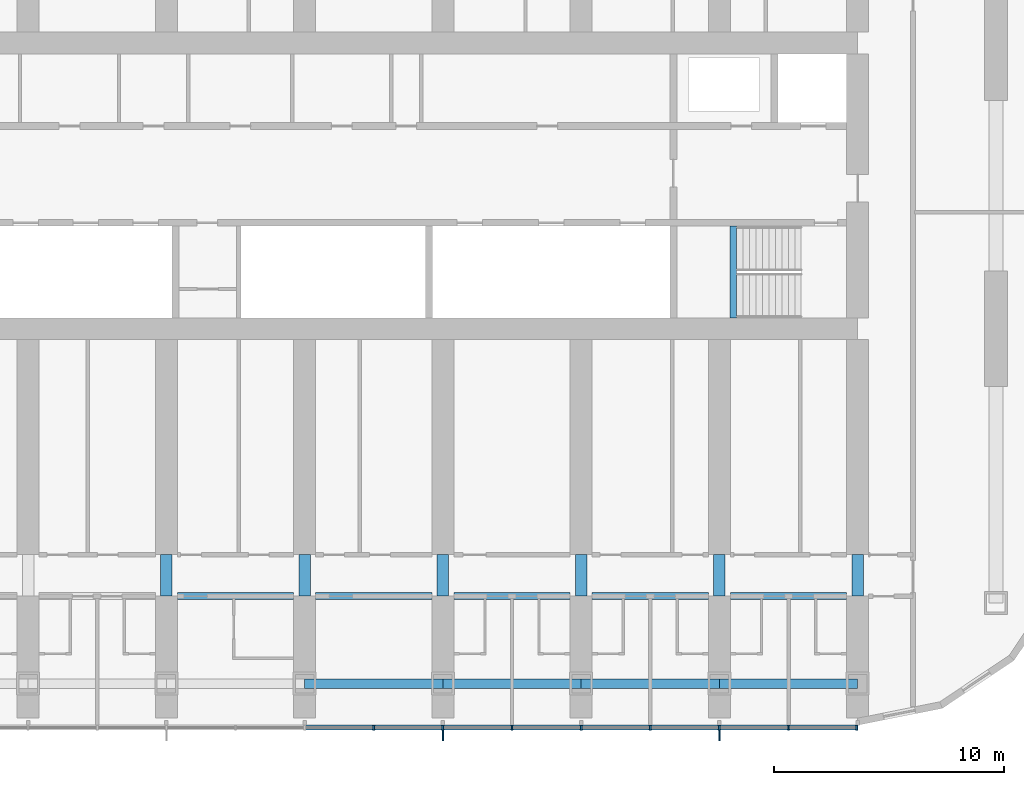
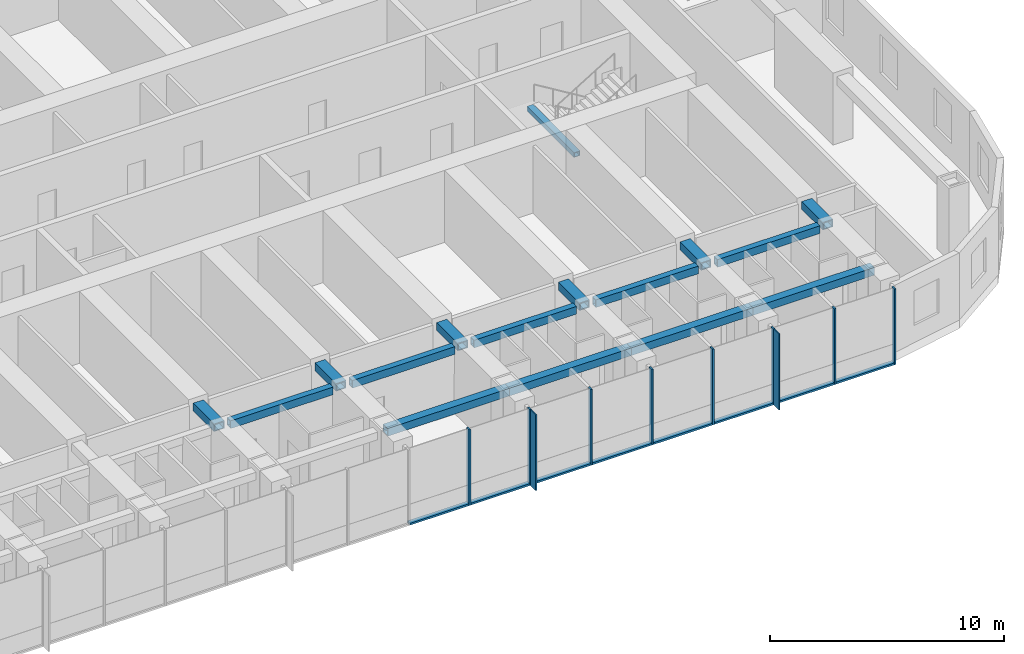
# One storey, part 5 of 25: 18 members, 16 beams, 1 element without a shape of its own.
"""IFC4 building model written with IfcOpenShell, lengths in metres."""

from ifc_helpers import new_model, si_unit, direction, frame, origin, origin_2d, place, context, subcontext, project, spatial, rectangle, hollow_rectangle, extrude, material, material_profile, profile_set, type_object, element, aggregate, save


model = new_model("IFC4")

# Units and contexts
model_context = context("Model", 3, precision=1e-05, world=origin(), true_north=direction((0.0, 1.0)))
body_context = subcontext(model_context, "Body", "Model", "MODEL_VIEW")
ifc_project = project(units=[si_unit("LENGTHUNIT", "METRE"), si_unit("AREAUNIT", "SQUARE_METRE"), si_unit("VOLUMEUNIT", "CUBIC_METRE"), si_unit("PLANEANGLEUNIT", "RADIAN"), si_unit("MASSUNIT", "GRAM", prefix="KILO")], contexts=[model_context])

# Site, building, storey
site_placement = place(None, origin())
site = spatial("IfcSite", under=ifc_project, at=site_placement, CompositionType="ELEMENT")
building_placement = place(site_placement, origin())
building = spatial("IfcBuilding", under=site, at=building_placement, Name="Orbita Commons", CompositionType="ELEMENT")
storey_placement = place(building_placement, frame((0.0, 0.0, 84.39990234375)))
storey = spatial("IfcBuildingStorey", under=building, at=storey_placement, Name="L20", CompositionType="ELEMENT", Elevation=84.39990234375)

# Curtain wall, members
ifc_material_1 = material(Name="Anodised aluminium frame, pale silver", Category="aluminium")
curtain_wall_type = type_object("IfcCurtainWallType", Name="Unitised curtain wall CW-T, vision and spandrel", PredefinedType="NOTDEFINED", material=ifc_material_1)
curtain_wall_placement = place(storey_placement, origin())
curtain_wall = element("IfcCurtainWall", 1, at=curtain_wall_placement, inside=storey, type_object=curtain_wall_type, Name="Curtain wall south L20", PredefinedType="NOTDEFINED")
ifc_material_2 = material(Name="Anodised aluminium, pale silver", Category="aluminium")
ifc_material_profile_1 = material_profile(ifc_material_2, rectangle(XDim=0.080078125, YDim=0.219970703125, at=origin_2d()), Name="AL 80x220")
ifc_profile_set_1 = profile_set([ifc_material_profile_1], Name="Anodised aluminium, pale silver")
member_type_1 = type_object("IfcMemberType", Name="Curtain wall mullion 80x220", PredefinedType="MULLION", material=ifc_profile_set_1)
member_1_placement = place(storey_placement, frame((45.0, 8.489990234375, -0.449951171875), z_axis=(0.0, 0.0, 1.0), x_axis=(1.0, 0.0, 0.0)))
member_1 = element("IfcMember", 2, at=member_1_placement, type_object=member_type_1, Name="Mullion 12 CW-L20-S", PredefinedType="MULLION", context=body_context, shape_type="SweptSolid", body=[
    extrude(rectangle(XDim=0.080078125, YDim=0.219970703125, at=origin_2d()), origin(), (0.0, 0.0, 1.0), 3.949951171875),
])
member_2_placement = place(storey_placement, frame((48.0, 8.489990234375, -0.449951171875), z_axis=(0.0, 0.0, 1.0), x_axis=(1.0, 0.0, 0.0)))
member_2 = element("IfcMember", 3, at=member_2_placement, type_object=member_type_1, Name="Mullion 13 CW-L20-S", PredefinedType="MULLION", context=body_context, shape_type="SweptSolid", body=[
    extrude(rectangle(XDim=0.080078125, YDim=0.219970703125, at=origin_2d()), origin(), (0.0, 0.0, 1.0), 3.949951171875),
])
member_3_placement = place(storey_placement, frame((51.0, 8.489990234375, -0.449951171875), z_axis=(0.0, 0.0, 1.0), x_axis=(1.0, 0.0, 0.0)))
member_3 = element("IfcMember", 4, at=member_3_placement, type_object=member_type_1, Name="Mullion 14 CW-L20-S", PredefinedType="MULLION", context=body_context, shape_type="SweptSolid", body=[
    extrude(rectangle(XDim=0.080078125, YDim=0.219970703125, at=origin_2d()), origin(), (0.0, 0.0, 1.0), 3.949951171875),
])
member_4_placement = place(storey_placement, frame((54.0, 8.489990234375, -0.449951171875), z_axis=(0.0, 0.0, 1.0), x_axis=(1.0, 0.0, 0.0)))
member_4 = element("IfcMember", 5, at=member_4_placement, type_object=member_type_1, Name="Mullion 15 CW-L20-S", PredefinedType="MULLION", context=body_context, shape_type="SweptSolid", body=[
    extrude(rectangle(XDim=0.080078125, YDim=0.219970703125, at=origin_2d()), origin(), (0.0, 0.0, 1.0), 3.949951171875),
])
member_5_placement = place(storey_placement, frame((57.0, 8.489990234375, -0.449951171875), z_axis=(0.0, 0.0, 1.0), x_axis=(1.0, 0.0, 0.0)))
member_5 = element("IfcMember", 6, at=member_5_placement, type_object=member_type_1, Name="Mullion 16 CW-L20-S", PredefinedType="MULLION", context=body_context, shape_type="SweptSolid", body=[
    extrude(rectangle(XDim=0.080078125, YDim=0.219970703125, at=origin_2d()), origin(), (0.0, 0.0, 1.0), 3.949951171875),
])
member_6_placement = place(storey_placement, frame((60.0, 8.489990234375, -0.449951171875), z_axis=(0.0, 0.0, 1.0), x_axis=(1.0, 0.0, 0.0)))
member_6 = element("IfcMember", 7, at=member_6_placement, type_object=member_type_1, Name="Mullion 17 CW-L20-S", PredefinedType="MULLION", context=body_context, shape_type="SweptSolid", body=[
    extrude(rectangle(XDim=0.080078125, YDim=0.219970703125, at=origin_2d()), origin(), (0.0, 0.0, 1.0), 3.949951171875),
])
member_7_placement = place(storey_placement, frame((63.0, 8.489990234375, -0.449951171875), z_axis=(0.0, 0.0, 1.0), x_axis=(1.0, 0.0, 0.0)))
member_7 = element("IfcMember", 8, at=member_7_placement, type_object=member_type_1, Name="Mullion 18 CW-L20-S", PredefinedType="MULLION", context=body_context, shape_type="SweptSolid", body=[
    extrude(rectangle(XDim=0.080078125, YDim=0.219970703125, at=origin_2d()), origin(), (0.0, 0.0, 1.0), 3.949951171875),
])
member_8_placement = place(storey_placement, frame((65.9599609375, 8.489990234375, -0.449951171875), z_axis=(0.0, 0.0, 1.0), x_axis=(1.0, 0.0, 0.0)))
member_8 = element("IfcMember", 9, at=member_8_placement, type_object=member_type_1, Name="Mullion 19 CW-L20-S", PredefinedType="MULLION", context=body_context, shape_type="SweptSolid", body=[
    extrude(rectangle(XDim=0.080078125, YDim=0.219970703125, at=origin_2d()), origin(), (0.0, 0.0, 1.0), 3.949951171875),
])
ifc_material_3 = material(Name="Anodised aluminium, pale silver", Category="aluminium")
ifc_material_profile_2 = material_profile(ifc_material_3, rectangle(XDim=0.219970703125, YDim=0.10009765625, at=origin_2d()), Name="AL 220x100")
ifc_profile_set_2 = profile_set([ifc_material_profile_2], Name="Anodised aluminium, pale silver")
member_type_2 = type_object("IfcMemberType", Name="Curtain wall stack transom 220x100", PredefinedType="USERDEFINED", material=ifc_profile_set_2)
member_9_placement = place(storey_placement, frame((42.0400390625, 8.489990234375, -0.39990234375), z_axis=(1.0, 0.0, 0.0), x_axis=(0.0, 1.0, 0.0)))
member_9 = element("IfcMember", 10, at=member_9_placement, type_object=member_type_2, Name="Transom 11.1 CW-L20-S", ObjectType="TRANSOM", PredefinedType="USERDEFINED", context=body_context, shape_type="SweptSolid", body=[
    extrude(rectangle(XDim=0.219970703125, YDim=0.10009765625, at=origin_2d()), origin(), (0.0, 0.0, 1.0), 2.919921875),
])
member_10_placement = place(storey_placement, frame((45.0400390625, 8.489990234375, -0.39990234375), z_axis=(1.0, 0.0, 0.0), x_axis=(0.0, 1.0, 0.0)))
member_10 = element("IfcMember", 11, at=member_10_placement, type_object=member_type_2, Name="Transom 12.1 CW-L20-S", ObjectType="TRANSOM", PredefinedType="USERDEFINED", context=body_context, shape_type="SweptSolid", body=[
    extrude(rectangle(XDim=0.219970703125, YDim=0.10009765625, at=origin_2d()), origin(), (0.0, 0.0, 1.0), 2.919921875),
])
member_11_placement = place(storey_placement, frame((48.0400390625, 8.489990234375, -0.39990234375), z_axis=(1.0, 0.0, 0.0), x_axis=(0.0, 1.0, 0.0)))
member_11 = element("IfcMember", 12, at=member_11_placement, type_object=member_type_2, Name="Transom 13.1 CW-L20-S", ObjectType="TRANSOM", PredefinedType="USERDEFINED", context=body_context, shape_type="SweptSolid", body=[
    extrude(rectangle(XDim=0.219970703125, YDim=0.10009765625, at=origin_2d()), origin(), (0.0, 0.0, 1.0), 2.919921875),
])
member_12_placement = place(storey_placement, frame((51.0400390625, 8.489990234375, -0.39990234375), z_axis=(1.0, 0.0, 0.0), x_axis=(0.0, 1.0, 0.0)))
member_12 = element("IfcMember", 13, at=member_12_placement, type_object=member_type_2, Name="Transom 14.1 CW-L20-S", ObjectType="TRANSOM", PredefinedType="USERDEFINED", context=body_context, shape_type="SweptSolid", body=[
    extrude(rectangle(XDim=0.219970703125, YDim=0.10009765625, at=origin_2d()), origin(), (0.0, 0.0, 1.0), 2.919921875),
])
member_13_placement = place(storey_placement, frame((54.0400390625, 8.489990234375, -0.39990234375), z_axis=(1.0, 0.0, 0.0), x_axis=(0.0, 1.0, 0.0)))
member_13 = element("IfcMember", 14, at=member_13_placement, type_object=member_type_2, Name="Transom 15.1 CW-L20-S", ObjectType="TRANSOM", PredefinedType="USERDEFINED", context=body_context, shape_type="SweptSolid", body=[
    extrude(rectangle(XDim=0.219970703125, YDim=0.10009765625, at=origin_2d()), origin(), (0.0, 0.0, 1.0), 2.919921875),
])
member_14_placement = place(storey_placement, frame((57.0400390625, 8.489990234375, -0.39990234375), z_axis=(1.0, 0.0, 0.0), x_axis=(0.0, 1.0, 0.0)))
member_14 = element("IfcMember", 15, at=member_14_placement, type_object=member_type_2, Name="Transom 16.1 CW-L20-S", ObjectType="TRANSOM", PredefinedType="USERDEFINED", context=body_context, shape_type="SweptSolid", body=[
    extrude(rectangle(XDim=0.219970703125, YDim=0.10009765625, at=origin_2d()), origin(), (0.0, 0.0, 1.0), 2.919921875),
])
member_15_placement = place(storey_placement, frame((60.0400390625, 8.489990234375, -0.39990234375), z_axis=(1.0, 0.0, 0.0), x_axis=(0.0, 1.0, 0.0)))
member_15 = element("IfcMember", 16, at=member_15_placement, type_object=member_type_2, Name="Transom 17.1 CW-L20-S", ObjectType="TRANSOM", PredefinedType="USERDEFINED", context=body_context, shape_type="SweptSolid", body=[
    extrude(rectangle(XDim=0.219970703125, YDim=0.10009765625, at=origin_2d()), origin(), (0.0, 0.0, 1.0), 2.919921875),
])
member_16_placement = place(storey_placement, frame((63.0400390625, 8.489990234375, -0.39990234375), z_axis=(1.0, 0.0, 0.0), x_axis=(0.0, 1.0, 0.0)))
member_16 = element("IfcMember", 17, at=member_16_placement, type_object=member_type_2, Name="Transom 18.1 CW-L20-S", ObjectType="TRANSOM", PredefinedType="USERDEFINED", context=body_context, shape_type="SweptSolid", body=[
    extrude(rectangle(XDim=0.219970703125, YDim=0.10009765625, at=origin_2d()), origin(), (0.0, 0.0, 1.0), 2.8798828125),
])

# Beams
ifc_material_4 = material(Name="Steel ASTM A572 Gr 50 welded plate", Category="steel")
ifc_material_profile_3 = material_profile(ifc_material_4, hollow_rectangle(XDim=0.300048828125, YDim=0.25, WallThickness=0.02490234375, at=origin_2d()), Name="BOX 250x300x25")
ifc_profile_set_3 = profile_set([ifc_material_profile_3], Name="Steel ASTM A572 Gr 50 welded plate")
beam_type_1 = type_object("IfcBeamType", Name="Stair landing beam steel BOX 250x300x25", PredefinedType="BEAM", material=ifc_profile_set_3)
beam_placement = place(storey_placement, frame((60.60009765625, 26.260009765625, 1.550048828125), z_axis=(0.0, 1.0, 0.0), x_axis=(-1.0, 0.0, 0.0)))
element("IfcBeam", 18, at=beam_placement, inside=storey, type_object=beam_type_1, Name="Stair S2 landing beam L20 1", PredefinedType="BEAM", context=body_context, shape_type="SweptSolid", body=[
    extrude(hollow_rectangle(XDim=0.300048828125, YDim=0.25, WallThickness=0.02490234375, at=origin_2d()), origin(), (0.0, 0.0, 1.0), 4.0048828125),
])
ifc_material_5 = material(Name="Steel ASTM A572 Gr 50 welded plate", Category="steel")
ifc_material_profile_4 = material_profile(ifc_material_5, hollow_rectangle(XDim=0.300048828125, YDim=0.39990234375, WallThickness=0.0400390625, at=origin_2d()), Name="BOX 400x300x40")
ifc_profile_set_4 = profile_set([ifc_material_profile_4], Name="Steel ASTM A572 Gr 50 welded plate")
beam_type_2 = type_object("IfcBeamType", Name="Steel corridor link BOX 400x300x40", PredefinedType="BEAM", material=ifc_profile_set_4)
for number, where, z_axis, x_axis, name in (
    (19, (36.47509765625, 14.199951171875, 3.300048828125), (1.0, 0.0, 0.0), (0.0, 1.0, 0.0), "Corridor beam SA 7-8 L20"),
    (20, (42.47509765625, 14.199951171875, 3.300048828125), (1.0, 0.0, 0.0), (0.0, 1.0, 0.0), "Corridor beam SA 8-9 L20"),
    (21, (48.47509765625, 14.199951171875, 3.300048828125), (1.0, 0.0, 0.0), (0.0, 1.0, 0.0), "Corridor beam SA 9-10 L20"),
    (22, (54.47509765625, 14.199951171875, 3.300048828125), (1.0, 0.0, 0.0), (0.0, 1.0, 0.0), "Corridor beam SA 10-11 L20"),
    (23, (60.47509765625, 14.199951171875, 3.300048828125), (1.0, 0.0, 0.0), (0.0, 1.0, 0.0), "Corridor beam SA 11-12 L20"),
):
    element("IfcBeam", number, at=place(storey_placement, frame(where, z_axis=z_axis, x_axis=x_axis)), inside=storey, type_object=beam_type_2, Name=name, PredefinedType="BEAM", context=body_context, shape_type="SweptSolid", body=[
        extrude(hollow_rectangle(XDim=0.300048828125, YDim=0.39990234375, WallThickness=0.0400390625, at=origin_2d()), origin(), (0.0, 0.0, 1.0), 5.0498046875),
    ])
ifc_material_6 = material(Name="Steel ASTM A572 Gr 50 welded plate", Category="steel")
ifc_material_profile_5 = material_profile(ifc_material_6, hollow_rectangle(XDim=0.5, YDim=0.39990234375, WallThickness=0.050048828125, at=origin_2d()), Name="BOX 400x500x50")
ifc_profile_set_5 = profile_set([ifc_material_profile_5], Name="Steel ASTM A572 Gr 50 welded plate")
beam_type_3 = type_object("IfcBeamType", Name="Steel coupling link BOX 400x500x50", PredefinedType="LINTEL", material=ifc_profile_set_5)
for number, where, z_axis, x_axis, name in (
    (24, (36.0, 14.199951171875, 3.300048828125), (0.0, 1.0, 0.0), (-1.0, 0.0, 0.0), "Coupling beam 7 south L20"),
    (25, (42.0, 14.199951171875, 3.300048828125), (0.0, 1.0, 0.0), (-1.0, 0.0, 0.0), "Coupling beam 8 south L20"),
    (26, (48.0, 14.199951171875, 3.300048828125), (0.0, 1.0, 0.0), (-1.0, 0.0, 0.0), "Coupling beam 9 south L20"),
    (27, (54.0, 14.199951171875, 3.300048828125), (0.0, 1.0, 0.0), (-1.0, 0.0, 0.0), "Coupling beam 10 south L20"),
    (28, (60.0, 14.199951171875, 3.300048828125), (0.0, 1.0, 0.0), (-1.0, 0.0, 0.0), "Coupling beam 11 south L20"),
    (29, (66.0, 14.199951171875, 3.300048828125), (0.0, 1.0, 0.0), (-1.0, 0.0, 0.0), "Coupling beam 12 south L20"),
):
    element("IfcBeam", number, at=place(storey_placement, frame(where, z_axis=z_axis, x_axis=x_axis)), inside=storey, type_object=beam_type_3, Name=name, PredefinedType="LINTEL", context=body_context, shape_type="SweptSolid", body=[
        extrude(hollow_rectangle(XDim=0.5, YDim=0.39990234375, WallThickness=0.050048828125, at=origin_2d()), origin(), (0.0, 0.0, 1.0), 1.800048828125),
    ])
ifc_material_7 = material(Name="Steel ASTM A572 Gr 50 welded plate", Category="steel")
ifc_material_profile_6 = material_profile(ifc_material_7, hollow_rectangle(XDim=0.39990234375, YDim=0.39990234375, WallThickness=0.0400390625, at=origin_2d()), Name="BOX 400x400x40")
ifc_profile_set_6 = profile_set([ifc_material_profile_6], Name="Steel ASTM A572 Gr 50 welded plate")
beam_type_4 = type_object("IfcBeamType", Name="Steel spandrel BOX 400x400x40", PredefinedType="SPANDREL", material=ifc_profile_set_6)
for number, where, z_axis, x_axis, name in (
    (30, (42.0, 10.39990234375, 3.300048828125), (1.0, 0.0, 0.0), (0.0, 1.0, 0.0), "Spandrel beam B 8-9 L20"),
    (31, (48.0, 10.39990234375, 3.300048828125), (1.0, 0.0, 0.0), (0.0, 1.0, 0.0), "Spandrel beam B 9-10 L20"),
    (32, (54.0, 10.39990234375, 3.300048828125), (1.0, 0.0, 0.0), (0.0, 1.0, 0.0), "Spandrel beam B 10-11 L20"),
    (33, (60.0, 10.39990234375, 3.300048828125), (1.0, 0.0, 0.0), (0.0, 1.0, 0.0), "Spandrel beam B 11-12 L20"),
):
    element("IfcBeam", number, at=place(storey_placement, frame(where, z_axis=z_axis, x_axis=x_axis)), inside=storey, type_object=beam_type_4, Name=name, PredefinedType="SPANDREL", context=body_context, shape_type="SweptSolid", body=[
        extrude(hollow_rectangle(XDim=0.39990234375, YDim=0.39990234375, WallThickness=0.0400390625, at=origin_2d()), origin(), (0.0, 0.0, 1.0), 6.0),
    ])

# Member
ifc_material_8 = material(Name="Anodised aluminium, pale silver", Category="aluminium")
ifc_material_profile_7 = material_profile(ifc_material_8, rectangle(XDim=0.06005859375, YDim=0.449951171875, at=origin_2d()), Name="FIN 60x450")
ifc_profile_set_7 = profile_set([ifc_material_profile_7], Name="Anodised aluminium, pale silver")
member_type_3 = type_object("IfcMemberType", Name="Vertical fin 60x450 pale aluminium", PredefinedType="USERDEFINED", material=ifc_profile_set_7)
member_17_placement = place(storey_placement, frame((48.0, 8.155029296875, -0.449951171875), z_axis=(0.0, 0.0, 1.0), x_axis=(1.0, 0.0, 0.0)))
member_17 = element("IfcMember", 34, at=member_17_placement, type_object=member_type_3, Name="Fin 13 CW-L20-S", ObjectType="FIN", PredefinedType="USERDEFINED", context=body_context, shape_type="SweptSolid", body=[
    extrude(rectangle(XDim=0.06005859375, YDim=0.449951171875, at=origin_2d()), origin(), (0.0, 0.0, 1.0), 3.949951171875),
])

member_18_placement = place(storey_placement, frame((60.0, 8.155029296875, -0.449951171875), z_axis=(0.0, 0.0, 1.0), x_axis=(1.0, 0.0, 0.0)))
member_18 = element("IfcMember", 35, at=member_18_placement, type_object=member_type_3, Name="Fin 17 CW-L20-S", ObjectType="FIN", PredefinedType="USERDEFINED", context=body_context, shape_type="SweptSolid", body=[
    extrude(rectangle(XDim=0.06005859375, YDim=0.449951171875, at=origin_2d()), origin(), (0.0, 0.0, 1.0), 3.949951171875),
])

aggregate(curtain_wall, [member_1, member_2, member_17, member_3, member_4, member_5, member_6, member_18, member_7, member_8, member_9, member_10, member_11, member_12, member_13, member_14, member_15, member_16])

save(model, "model.ifc")
